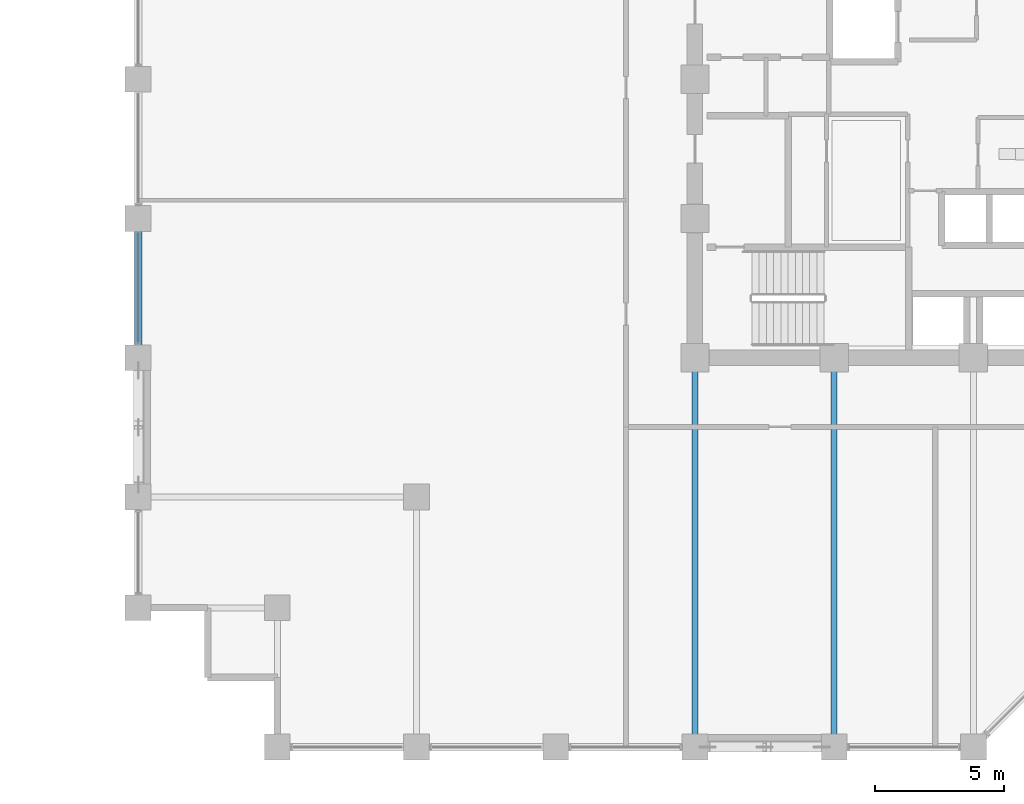
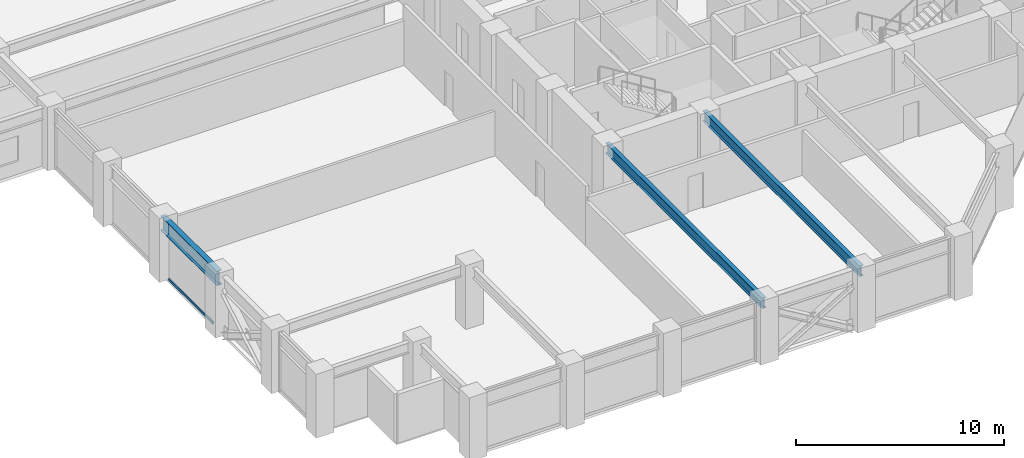
# One storey, part 4 of 29: 3 beams, 1 member, 1 element without a shape of its own.
"""IFC4 building model written with IfcOpenShell, lengths in metres."""

from ifc_helpers import new_model, si_unit, direction, frame, origin, origin_2d, place, context, subcontext, project, spatial, hollow_rectangle, i_section, extrude, material, layer, layer_set, material_profile, profile_set, type_object, element, aggregate, save


model = new_model("IFC4")

# Units and contexts
model_context = context("Model", 3, precision=1e-05, world=origin(), true_north=direction((0.0, 1.0)))
body_context = subcontext(model_context, "Body", "Model", "MODEL_VIEW")
ifc_project = project(units=[si_unit("LENGTHUNIT", "METRE"), si_unit("AREAUNIT", "SQUARE_METRE"), si_unit("VOLUMEUNIT", "CUBIC_METRE"), si_unit("PLANEANGLEUNIT", "RADIAN"), si_unit("MASSUNIT", "GRAM", prefix="KILO")], contexts=[model_context])

# Site, building, storey
site_placement = place(None, origin())
site = spatial("IfcSite", under=ifc_project, at=site_placement, CompositionType="ELEMENT")
building_placement = place(site_placement, origin())
building = spatial("IfcBuilding", under=site, at=building_placement, Name="Surkhivell Harbour Commons", CompositionType="ELEMENT")
storey_placement = place(building_placement, frame((0.0, 0.0, 158.25)))
storey = spatial("IfcBuildingStorey", under=building, at=storey_placement, Name="L41", CompositionType="ELEMENT", Elevation=158.25)

# Beams
ifc_material_1 = material(Name="Steel S355", Category="steel")
ifc_material_profile_1 = material_profile(ifc_material_1, i_section(OverallWidth=0.22998046875, OverallDepth=0.616943359375, WebThickness=0.01318359375, FlangeThickness=0.022216796875, at=origin_2d()), Name="UB610x229x140")
ifc_profile_set_1 = profile_set([ifc_material_profile_1], Name="Steel S355")
beam_type_1 = type_object("IfcBeamType", Name="BM-GRD-610B", PredefinedType="BEAM", material=ifc_profile_set_1)
for number, where, z_axis, x_axis, name in (
    (1, (-10.800048828125, -25.89990234375, 3.19140625), (0.0, 1.0, 0.0), (-1.0, 0.0, 0.0), "L41 Floor Girder (-10.8,-25.9)"),
    (2, (-5.39990234375, -25.89990234375, 3.19140625), (0.0, 1.0, 0.0), (-1.0, 0.0, 0.0), "L41 Floor Girder (-5.4,-25.9)"),
):
    element("IfcBeam", number, at=place(storey_placement, frame(where, z_axis=z_axis, x_axis=x_axis)), inside=storey, type_object=beam_type_1, Name=name, PredefinedType="BEAM", context=body_context, shape_type="SweptSolid", body=[
        extrude(i_section(OverallWidth=0.22998046875, OverallDepth=0.616943359375, WebThickness=0.01318359375, FlangeThickness=0.022216796875, at=origin_2d()), origin(), (0.0, 0.0, 1.0), 15.099853515625),
    ])
ifc_material_2 = material(Name="Steel S460", Category="steel")
ifc_material_profile_2 = material_profile(ifc_material_2, i_section(OverallWidth=0.2939453125, OverallDepth=0.85107421875, WebThickness=0.01611328125, FlangeThickness=0.02685546875, at=origin_2d()), Name="UB838x292x226")
ifc_profile_set_2 = profile_set([ifc_material_profile_2], Name="Steel S460")
beam_type_2 = type_object("IfcBeamType", Name="BM-SPN-838", PredefinedType="SPANDREL", material=ifc_profile_set_2)
beam_placement = place(storey_placement, frame((-32.39990234375, -10.800048828125, 3.074462890625), z_axis=(0.0, 1.0, 0.0), x_axis=(-1.0, 0.0, 0.0)))
element("IfcBeam", 3, at=beam_placement, inside=storey, type_object=beam_type_2, Name="L41 Tube Spandrel (-32.4,-10.8)", PredefinedType="SPANDREL", context=body_context, shape_type="SweptSolid", body=[
    extrude(i_section(OverallWidth=0.2939453125, OverallDepth=0.85107421875, WebThickness=0.01611328125, FlangeThickness=0.02685546875, at=origin_2d()), origin(), (0.0, 0.0, 1.0), 5.400146484375),
])

# Curtain wall, member
ifc_material_3 = material(Name="Anodised pale-metal aluminium and insulated glazing", Category="aluminium")
ifc_layer = layer(ifc_material_3, 0.205078125)
ifc_layer_set = layer_set([ifc_layer], Name="Anodised pale-metal aluminium and insulated glazing")
curtain_wall_type = type_object("IfcCurtainWallType", Name="CW-SYS-Z2", PredefinedType="NOTDEFINED", material=ifc_layer_set)
curtain_wall_placement = place(storey_placement, origin())
curtain_wall = element("IfcCurtainWall", 4, at=curtain_wall_placement, inside=storey, type_object=curtain_wall_type, Name="L41 Curtain Wall CW-L41-E12R1S2", PredefinedType="NOTDEFINED")
ifc_material_4 = material(Name="Anodised pale-metal aluminium alloy 6063-T6", Category="aluminium")
ifc_material_profile_3 = material_profile(ifc_material_4, hollow_rectangle(XDim=0.074951171875, YDim=0.14990234375, WallThickness=0.00341796875, at=origin_2d()), Name="ALU-TRAN-75x150")
ifc_profile_set_3 = profile_set([ifc_material_profile_3], Name="Anodised pale-metal aluminium alloy 6063-T6")
member_type = type_object("IfcMemberType", Name="CWT-150", PredefinedType="USERDEFINED", material=ifc_profile_set_3)
member_placement = place(storey_placement, frame((-32.39990234375, -10.222900390625, 0.074951171875), z_axis=(0.0, 1.0, 0.0), x_axis=(-1.0, 0.0, 0.0)))
member = element("IfcMember", 5, at=member_placement, type_object=member_type, Name="CW-Z2 transom 1.1", ObjectType="TRANSOM", PredefinedType="USERDEFINED", context=body_context, shape_type="SweptSolid", body=[
    extrude(hollow_rectangle(XDim=0.074951171875, YDim=0.14990234375, WallThickness=0.00341796875, at=origin_2d()), origin(), (0.0, 0.0, 1.0), 4.245849609375),
])
aggregate(curtain_wall, [member])

save(model, "model.ifc")
